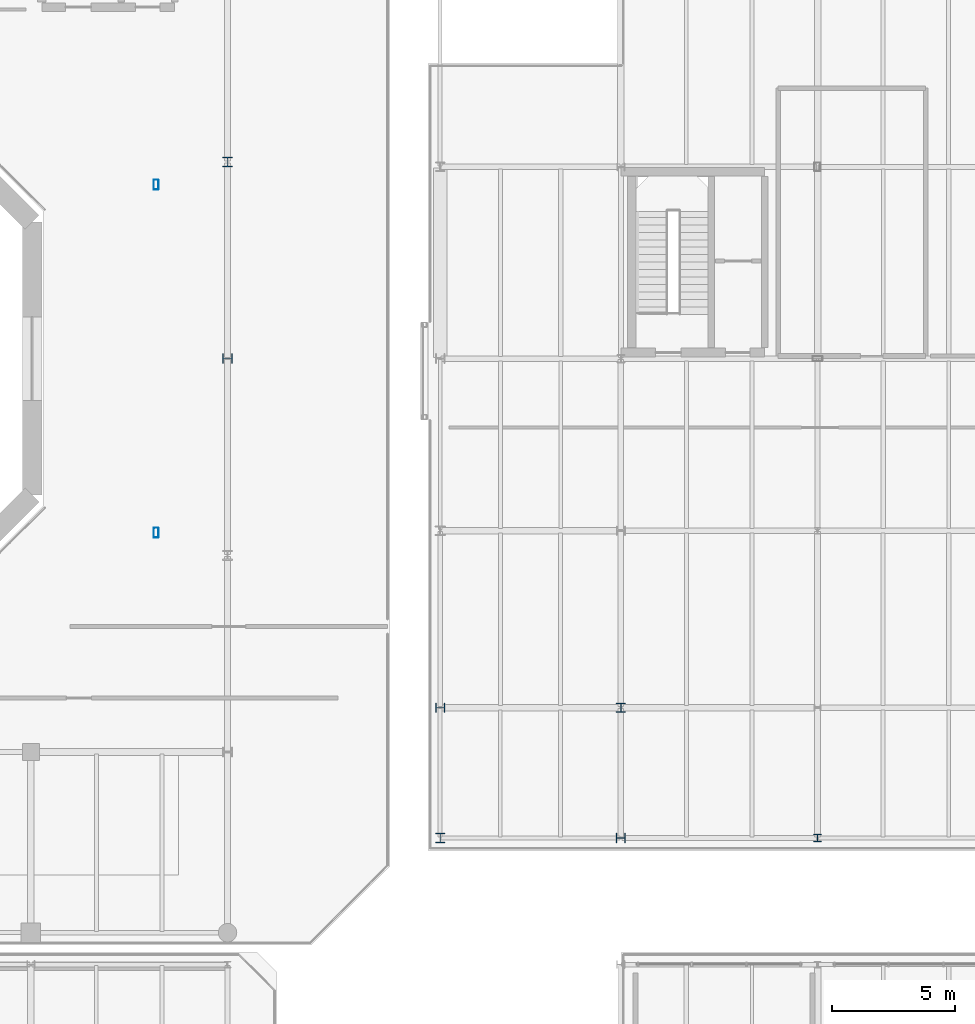
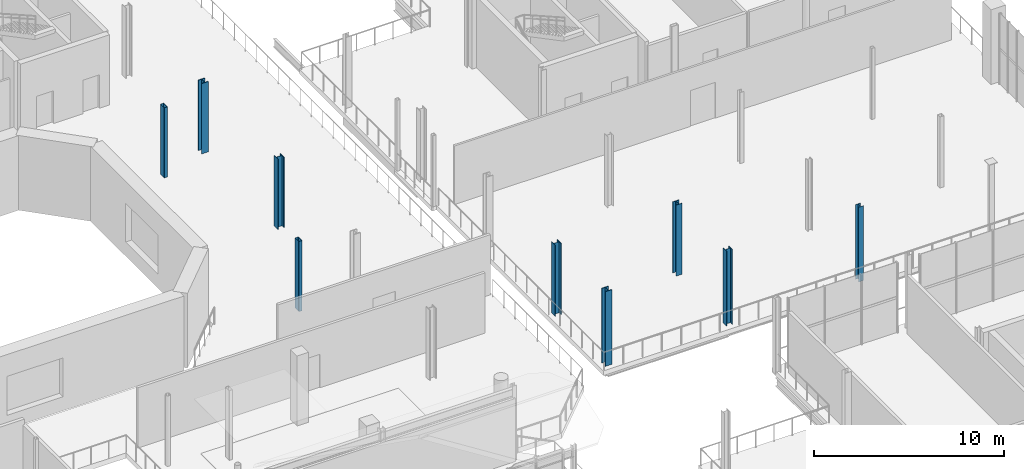
# One storey, part 14 of 93: 9 columns.
"""IFC4 building model written with IfcOpenShell, lengths in metres."""

from ifc_helpers import new_model, si_unit, direction, frame, origin, origin_2d, place, context, subcontext, project, spatial, hollow_rectangle, i_section, extrude, material, material_profile, profile_set, type_object, element, save


model = new_model("IFC4")

# Units and contexts
model_context = context("Model", 3, precision=1e-05, world=origin(), true_north=direction((0.0, 1.0)))
body_context = subcontext(model_context, "Body", "Model", "MODEL_VIEW")
ifc_project = project(units=[si_unit("LENGTHUNIT", "METRE"), si_unit("AREAUNIT", "SQUARE_METRE"), si_unit("VOLUMEUNIT", "CUBIC_METRE"), si_unit("PLANEANGLEUNIT", "RADIAN"), si_unit("MASSUNIT", "GRAM", prefix="KILO")], contexts=[model_context])

# Site, building, storey
site_placement = place(None, origin())
site = spatial("IfcSite", under=ifc_project, at=site_placement, CompositionType="ELEMENT")
building_placement = place(site_placement, origin())
building = spatial("IfcBuilding", under=site, at=building_placement, Name="Brisemont Oceanarium", CompositionType="ELEMENT")
storey_placement = place(building_placement, frame((0.0, 0.0, 5.39990234375)))
storey = spatial("IfcBuildingStorey", under=building, at=storey_placement, Name="L01", CompositionType="ELEMENT", Elevation=5.39990234375)

# Columns
ifc_material_1 = material(Name="Structural Steel ASTM A500 Gr.C", Category="steel")
ifc_material_profile_1 = material_profile(ifc_material_1, hollow_rectangle(XDim=0.202880859375, YDim=0.406005859375, WallThickness=0.01171875, InnerFilletRadius=0.01220703125, OuterFilletRadius=0.02392578125, at=origin_2d()), Name="HSS16X8X1/2")
ifc_profile_set_1 = profile_set([ifc_material_profile_1], Name="Structural Steel ASTM A500 Gr.C")
column_type_1 = type_object("IfcColumnType", Name="COL-HSS16X8", PredefinedType="COLUMN", material=ifc_profile_set_1)
for number, where, z_axis, x_axis, name in (
    (1, (101.091796875, 63.07958984375, 0.0), (0.0, 0.0, 1.0), (1.0, 0.0, 0.0), "V1 dome drum pier L01.1"),
    (2, (101.091796875, 48.92041015625, 0.0), (0.0, 0.0, 1.0), (1.0, 0.0, 0.0), "V1 dome drum pier L01.8"),
):
    element("IfcColumn", number, at=place(storey_placement, frame(where, z_axis=z_axis, x_axis=x_axis)), inside=storey, type_object=column_type_1, Name=name, PredefinedType="COLUMN", context=body_context, shape_type="SweptSolid", body=[
        extrude(hollow_rectangle(XDim=0.202880859375, YDim=0.406005859375, WallThickness=0.01171875, InnerFilletRadius=0.01220703125, OuterFilletRadius=0.02392578125, at=origin_2d()), origin(), (0.0, 0.0, 1.0), 4.5),
    ])
ifc_material_2 = material(Name="Structural Steel ASTM A992 Gr.50", Category="steel")
ifc_material_profile_2 = material_profile(ifc_material_2, i_section(OverallWidth=0.304931640625, OverallDepth=0.306884765625, WebThickness=0.010009765625, FlangeThickness=0.015380859375, FilletRadius=0.012939453125, at=origin_2d()), Name="W12X65")
ifc_profile_set_2 = profile_set([ifc_material_profile_2], Name="Structural Steel ASTM A992 Gr.50")
column_type_2 = type_object("IfcColumnType", Name="COL-W12X65", PredefinedType="COLUMN", material=ifc_profile_set_2)
column_1_placement = place(storey_placement, frame((128.0, 36.5, 0.0), z_axis=(0.0, 0.0, 1.0), x_axis=(1.0, 0.0, 0.0)))
element("IfcColumn", 3, at=column_1_placement, inside=storey, type_object=column_type_2, Name="V5E L01 column (2,0)", PredefinedType="COLUMN", context=body_context, shape_type="SweptSolid", body=[
    extrude(i_section(OverallWidth=0.304931640625, OverallDepth=0.306884765625, WebThickness=0.010009765625, FlangeThickness=0.015380859375, FilletRadius=0.012939453125, at=origin_2d()), origin(), (0.0, 0.0, 1.0), 4.800048828125),
])
ifc_material_3 = material(Name="Structural Steel ASTM A992 Gr.50", Category="steel")
ifc_material_profile_3 = material_profile(ifc_material_3, i_section(OverallWidth=0.37109375, OverallDepth=0.364013671875, WebThickness=0.01318359375, FlangeThickness=0.021728515625, FilletRadius=0.014892578125, at=origin_2d()), Name="W14X109")
ifc_profile_set_3 = profile_set([ifc_material_profile_3], Name="Structural Steel ASTM A992 Gr.50")
column_type_3 = type_object("IfcColumnType", Name="COL-W14X109", PredefinedType="COLUMN", material=ifc_profile_set_3)
column_2_placement = place(storey_placement, frame((120.0, 36.5, 0.0), z_axis=(0.0, 0.0, 1.0), x_axis=(0.0, 1.0, 0.0)))
element("IfcColumn", 4, at=column_2_placement, inside=storey, type_object=column_type_3, Name="V5E L01 column (1,0)", PredefinedType="COLUMN", context=body_context, shape_type="SweptSolid", body=[
    extrude(i_section(OverallWidth=0.37109375, OverallDepth=0.364013671875, WebThickness=0.01318359375, FlangeThickness=0.021728515625, FilletRadius=0.014892578125, at=origin_2d()), origin(), (0.0, 0.0, 1.0), 4.800048828125),
])
ifc_material_4 = material(Name="Structural Steel ASTM A992 Gr.50", Category="steel")
ifc_material_profile_4 = material_profile(ifc_material_4, i_section(OverallWidth=0.39892578125, OverallDepth=0.385986328125, WebThickness=0.02099609375, FlangeThickness=0.033203125, FilletRadius=0.014892578125, at=origin_2d()), Name="W14X176")
ifc_profile_set_4 = profile_set([ifc_material_profile_4], Name="Structural Steel ASTM A992 Gr.50")
column_type_4 = type_object("IfcColumnType", Name="COL-W14X176", PredefinedType="COLUMN", material=ifc_profile_set_4)
column_3_placement = place(storey_placement, frame((112.64990234375, 41.800048828125, 0.0), z_axis=(0.0, 0.0, 1.0), x_axis=(0.0, 1.0, 0.0)))
element("IfcColumn", 5, at=column_3_placement, inside=storey, type_object=column_type_4, Name="V5E L01 column (0,1)", PredefinedType="COLUMN", context=body_context, shape_type="SweptSolid", body=[
    extrude(i_section(OverallWidth=0.39892578125, OverallDepth=0.385986328125, WebThickness=0.02099609375, FlangeThickness=0.033203125, FilletRadius=0.014892578125, at=origin_2d()), origin(), (0.0, 0.0, 1.0), 4.56005859375),
])
ifc_material_5 = material(Name="Structural Steel ASTM A992 Gr.50", Category="steel")
ifc_material_profile_5 = material_profile(ifc_material_5, i_section(OverallWidth=0.39990234375, OverallDepth=0.39306640625, WebThickness=0.022705078125, FlangeThickness=0.03662109375, FilletRadius=0.014892578125, at=origin_2d()), Name="W14X193")
ifc_profile_set_5 = profile_set([ifc_material_profile_5], Name="Structural Steel ASTM A992 Gr.50")
column_type_5 = type_object("IfcColumnType", Name="COL-W14X193", PredefinedType="COLUMN", material=ifc_profile_set_5)
column_4_placement = place(storey_placement, frame((104.0, 64.0, 0.0), z_axis=(0.0, 0.0, 1.0), x_axis=(1.0, 0.0, 0.0)))
element("IfcColumn", 6, at=column_4_placement, inside=storey, type_object=column_type_5, Name="V1 L01 column (6,4)", PredefinedType="COLUMN", context=body_context, shape_type="SweptSolid", body=[
    extrude(i_section(OverallWidth=0.39990234375, OverallDepth=0.39306640625, WebThickness=0.022705078125, FlangeThickness=0.03662109375, FilletRadius=0.014892578125, at=origin_2d()), origin(), (0.0, 0.0, 1.0), 4.52001953125),
])
column_5_placement = place(storey_placement, frame((112.64990234375, 36.5, 0.0), z_axis=(0.0, 0.0, 1.0), x_axis=(1.0, 0.0, 0.0)))
element("IfcColumn", 7, at=column_5_placement, inside=storey, type_object=column_type_5, Name="V5E L01 column (0,0)", PredefinedType="COLUMN", context=body_context, shape_type="SweptSolid", body=[
    extrude(i_section(OverallWidth=0.39990234375, OverallDepth=0.39306640625, WebThickness=0.022705078125, FlangeThickness=0.03662109375, FilletRadius=0.014892578125, at=origin_2d()), origin(), (0.0, 0.0, 1.0), 4.800048828125),
])
ifc_material_6 = material(Name="Structural Steel ASTM A992 Gr.50", Category="steel")
ifc_material_profile_6 = material_profile(ifc_material_6, i_section(OverallWidth=0.40087890625, OverallDepth=0.39892578125, WebThickness=0.02490234375, FlangeThickness=0.03955078125, FilletRadius=0.014892578125, at=origin_2d()), Name="W14X211")
ifc_profile_set_6 = profile_set([ifc_material_profile_6], Name="Structural Steel ASTM A992 Gr.50")
column_type_6 = type_object("IfcColumnType", Name="COL-W14X211", PredefinedType="COLUMN", material=ifc_profile_set_6)
column_6_placement = place(storey_placement, frame((104.0, 56.0, 0.0), z_axis=(0.0, 0.0, 1.0), x_axis=(0.0, 1.0, 0.0)))
element("IfcColumn", 8, at=column_6_placement, inside=storey, type_object=column_type_6, Name="V1 L01 column (6,3)", PredefinedType="COLUMN", context=body_context, shape_type="SweptSolid", body=[
    extrude(i_section(OverallWidth=0.40087890625, OverallDepth=0.39892578125, WebThickness=0.02490234375, FlangeThickness=0.03955078125, FilletRadius=0.014892578125, at=origin_2d()), origin(), (0.0, 0.0, 1.0), 4.52001953125),
])
ifc_material_7 = material(Name="Structural Steel ASTM A992 Gr.50", Category="steel")
ifc_material_profile_7 = material_profile(ifc_material_7, i_section(OverallWidth=0.37109375, OverallDepth=0.361083984375, WebThickness=0.01220703125, FlangeThickness=0.019775390625, FilletRadius=0.014892578125, at=origin_2d()), Name="W14X99")
ifc_profile_set_7 = profile_set([ifc_material_profile_7], Name="Structural Steel ASTM A992 Gr.50")
column_type_7 = type_object("IfcColumnType", Name="COL-W14X99", PredefinedType="COLUMN", material=ifc_profile_set_7)
column_7_placement = place(storey_placement, frame((120.0, 41.800048828125, 0.0), z_axis=(0.0, 0.0, 1.0), x_axis=(1.0, 0.0, 0.0)))
element("IfcColumn", 9, at=column_7_placement, inside=storey, type_object=column_type_7, Name="V5E L01 column (1,1)", PredefinedType="COLUMN", context=body_context, shape_type="SweptSolid", body=[
    extrude(i_section(OverallWidth=0.37109375, OverallDepth=0.361083984375, WebThickness=0.01220703125, FlangeThickness=0.019775390625, FilletRadius=0.014892578125, at=origin_2d()), origin(), (0.0, 0.0, 1.0), 4.56005859375),
])

save(model, "model.ifc")
